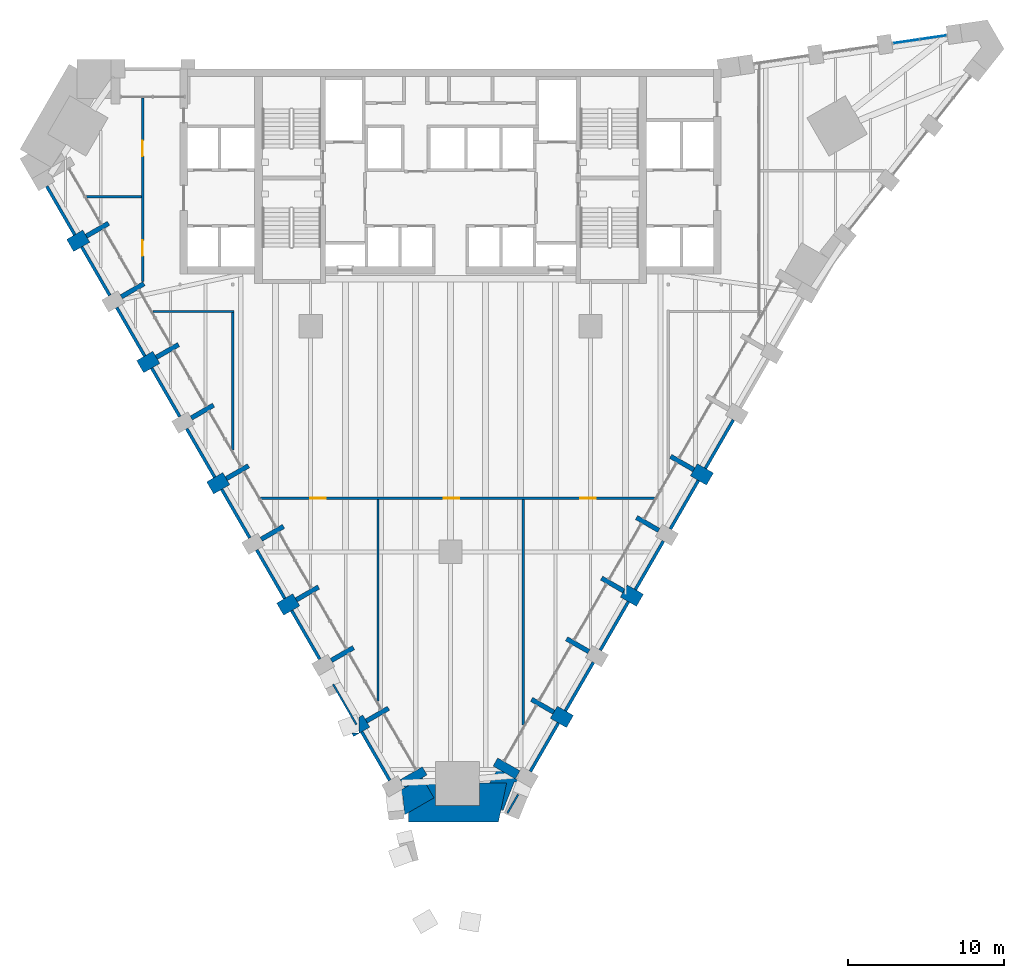
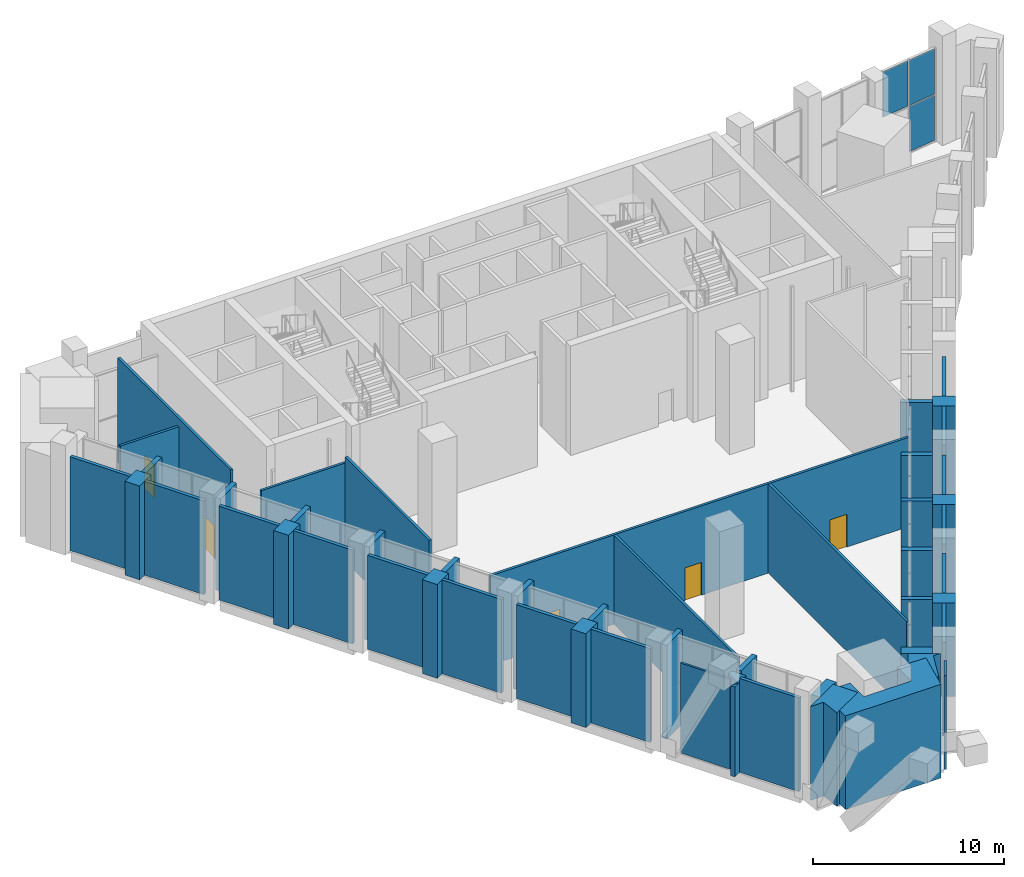
# One storey, part 11 of 17: 51 walls, 5 doors, 3 plates, 5 openings, 1 element without a shape of its own.
"""IFC4 building model written with IfcOpenShell, lengths in metres."""

from ifc_helpers import new_model, si_unit, direction, frame, frame_2d, origin, origin_2d, place, context, subcontext, project, spatial, polyline, rectangle, outline, extrude, material, layer, layer_set, type_object, element, fill, aggregate, save


model = new_model("IFC4")

# Units and contexts
model_context = context("Model", 3, precision=1e-05, world=origin(), true_north=direction((0.0, 1.0)))
body_context = subcontext(model_context, "Body", "Model", "MODEL_VIEW")
ifc_project = project(units=[si_unit("LENGTHUNIT", "METRE"), si_unit("AREAUNIT", "SQUARE_METRE"), si_unit("VOLUMEUNIT", "CUBIC_METRE"), si_unit("PLANEANGLEUNIT", "RADIAN"), si_unit("MASSUNIT", "GRAM", prefix="KILO")], contexts=[model_context])

# Site, building, storey
site_placement = place(None, origin())
site = spatial("IfcSite", under=ifc_project, at=site_placement, CompositionType="ELEMENT")
building_placement = place(site_placement, origin())
building = spatial("IfcBuilding", under=site, at=building_placement, Name="Calabash Gate Tower", CompositionType="ELEMENT")
storey_placement = place(building_placement, frame((0.0, 0.0, 132.60009765625)))
storey = spatial("IfcBuildingStorey", under=building, at=storey_placement, Name="L31", CompositionType="ELEMENT", Elevation=132.60009765625)

# Curtain wall, plates
ifc_material_1 = material(Name="Anodised aluminium frame, bronze finish, clear laminated impact-rated glazing", Category="aluminium")
curtain_wall_type = type_object("IfcCurtainWallType", Name="Curtain wall CWW wedge prow wall", PredefinedType="NOTDEFINED", material=ifc_material_1)
curtain_wall_placement = place(storey_placement, origin())
curtain_wall = element("IfcCurtainWall", 1, at=curtain_wall_placement, inside=storey, type_object=curtain_wall_type, Name="Curtain wall CWW L31 wedge5.1", PredefinedType="NOTDEFINED")
ifc_material_2 = material(Name="Clear laminated impact-rated glazing", Category="glass")
ifc_layer_1 = layer(ifc_material_2, 0.0400390625)
ifc_layer_set_1 = layer_set([ifc_layer_1], Name="Glass panel CWW 40")
plate_type = type_object("IfcPlateType", Name="Glass panel CWW 40", PredefinedType="CURTAIN_PANEL", material=ifc_layer_set_1)
plate_1_placement = place(storey_placement, frame((31.02685546875, 21.07763671875, 0.06982421875), z_axis=(0.0, 0.0, 1.0), x_axis=(-0.989429496293, -0.145014729823, 0.0)))
plate_1 = element("IfcPlate", 2, at=plate_1_placement, type_object=plate_type, Name="CWW panel 1.1", PredefinedType="CURTAIN_PANEL", context=body_context, shape_type="SweptSolid", body=[
    extrude(rectangle(XDim=1.695068359375, YDim=0.0400390625, at=origin_2d()), origin(), (0.0, 0.0, 1.0), 2.89501953125),
])
plate_2_placement = place(storey_placement, frame((31.02685546875, 21.07763671875, 3.034912109375), z_axis=(0.0, 0.0, 1.0), x_axis=(-0.989429496293, -0.145014729823, 0.0)))
plate_2 = element("IfcPlate", 3, at=plate_2_placement, type_object=plate_type, Name="CWW panel 1.2", PredefinedType="CURTAIN_PANEL", context=body_context, shape_type="SweptSolid", body=[
    extrude(rectangle(XDim=1.695068359375, YDim=0.0400390625, at=origin_2d()), origin(), (0.0, 0.0, 1.0), 2.89501953125),
])
plate_3_placement = place(storey_placement, frame((29.280517578125, 20.821533203125, 3.034912109375), z_axis=(0.0, 0.0, 1.0), x_axis=(-0.989429496293, -0.145014729823, 0.0)))
plate_3 = element("IfcPlate", 4, at=plate_3_placement, type_object=plate_type, Name="CWW panel 2.2", PredefinedType="CURTAIN_PANEL", context=body_context, shape_type="SweptSolid", body=[
    extrude(rectangle(XDim=1.695068359375, YDim=0.0400390625, at=origin_2d()), origin(), (0.0, 0.0, 1.0), 2.89501953125),
])
aggregate(curtain_wall, [plate_1, plate_2, plate_3])

# Walls
ifc_material_3 = material(Name="Terracotta brick masonry, exposed face", Category="masonry")
ifc_layer_2 = layer(ifc_material_3, 2.5)
ifc_layer_set_2 = layer_set([ifc_layer_2], Name="Brick corner mass wall 2500")
wall_type_1 = type_object("IfcWallType", Name="Brick corner mass wall 2500", PredefinedType="SOLIDWALL", material=ifc_layer_set_2)
wall_1_placement = place(storey_placement, origin())
element("IfcWall", 5, at=wall_1_placement, inside=storey, type_object=wall_type_1, Name="Brick corner pier L31 1a", PredefinedType="SOLIDWALL", context=body_context, shape_type="SweptSolid", body=[
    extrude(outline(polyline([(-1.068603515625, -27.814208984375), (-1.817626953125, -26.516357421875), (-2.943603515625, -27.16650390625), (-2.943359375, -27.166748046875), (-3.872314453125, -27.702880859375), (-3.072998046875, -27.702880859375), (-2.95068359375, -28.90087890625), (-1.068603515625, -27.814208984375)])), origin(), (0.0, 0.0, 1.0), 6.0),
])
wall_2_placement = place(storey_placement, origin())
element("IfcWall", 6, at=wall_2_placement, inside=storey, type_object=wall_type_1, Name="Brick corner pier L31 1b", PredefinedType="SOLIDWALL", context=body_context, shape_type="SweptSolid", body=[
    extrude(outline(polyline([(-0.97802734375, -26.864013671875), (-1.616943359375, -26.864013671875), (-1.068603515625, -27.814208984375), (-2.7138671875, -28.76416015625), (-2.7138671875, -29.364013671875), (3.0771484375, -29.364013671875), (3.60302734375, -26.864013671875), (1.8720703125, -26.864013671875), (1.8720703125, -28.318115234375), (-0.97802734375, -28.318115234375), (-0.97802734375, -26.864013671875)])), origin(), (0.0, 0.0, 1.0), 6.0),
])
wall_3_placement = place(storey_placement, origin())
element("IfcWall", 7, at=wall_3_placement, inside=storey, type_object=wall_type_1, Name="Brick corner pier L31 1c", PredefinedType="SOLIDWALL", context=body_context, shape_type="SweptSolid", body=[
    extrude(outline(polyline([(4.513427734375, -26.799072265625), (3.0361328125, -25.946044921875), (2.506103515625, -26.864013671875), (3.60302734375, -26.864013671875), (3.246826171875, -28.558349609375), (3.368408203125, -28.628662109375), (4.093017578125, -26.799072265625), (4.513427734375, -26.799072265625)])), origin(), (0.0, 0.0, 1.0), 5.919921875),
])
ifc_material_4 = material(Name="Terracotta brick masonry, exposed face", Category="masonry")
ifc_layer_3 = layer(ifc_material_4, 1.199951171875)
ifc_layer_set_3 = layer_set([ifc_layer_3], Name="Brick end wall 1200")
wall_type_2 = type_object("IfcWallType", Name="Brick end wall 1200", PredefinedType="SOLIDWALL", material=ifc_layer_set_3)
for number, where, z_axis, x_axis, name in (
    (8, (-24.457763671875, 7.697265625, 0.0), (0.0, 0.0, 1.0), (0.865955154139, 0.50012165622, 0.0), "Brick pier L31 SW0.1"),
    (9, (-19.957763671875, -0.096923828125, 0.0), (0.0, 0.0, 1.0), (0.865955154139, 0.50012165622, 0.0), "Brick pier L31 SW0.3"),
):
    element("IfcWall", number, at=place(storey_placement, frame(where, z_axis=z_axis, x_axis=x_axis)), inside=storey, type_object=wall_type_2, Name=name, PredefinedType="SOLIDWALL", context=body_context, shape_type="SweptSolid", body=[
        extrude(rectangle(XDim=1.199951171875, YDim=0.89990234375, at=frame_2d((0.60009765625, 0.0))), origin(), (0.0, 0.0, 1.0), 6.0),
    ])
for number, where, z_axis, x_axis, name in (
    (10, (-15.457763671875, -7.89111328125, 0.0), (0.0, 0.0, 1.0), (0.866043267704, 0.499969057507, 0.0), "Brick pier L31 SW0.5"),
    (11, (-10.957763671875, -15.685302734375, 0.0), (0.0, 0.0, 1.0), (0.866043267704, 0.499969057507, 0.0), "Brick pier L31 SW0.7"),
):
    element("IfcWall", number, at=place(storey_placement, frame(where, z_axis=z_axis, x_axis=x_axis)), inside=storey, type_object=wall_type_2, Name=name, PredefinedType="SOLIDWALL", context=body_context, shape_type="SweptSolid", body=[
        extrude(rectangle(XDim=1.19970703125, YDim=0.89990234375, at=frame_2d((0.599853515625, 0.0))), origin(), (0.0, 0.0, 1.0), 6.0),
    ])
wall_4_placement = place(storey_placement, origin())
element("IfcWall", 12, at=wall_4_placement, inside=storey, type_object=wall_type_2, Name="Brick pier L31 SW0.9", PredefinedType="SOLIDWALL", context=body_context, shape_type="SweptSolid", body=[
    extrude(outline(polyline([(-6.366943359375, -23.636962890625), (-6.23291015625, -23.869384765625), (-5.193603515625, -23.269287109375), (-5.6435546875, -22.489990234375), (-5.896484375, -22.635986328125), (-5.89599609375, -22.636962890625), (-5.89599609375, -23.636962890625), (-6.366943359375, -23.636962890625)])), origin(), (0.0, 0.0, 1.0), 5.751953125),
])
for number, where, z_axis, x_axis, name in (
    (13, (7.67626953125, -22.9091796875, 0.0), (0.0, 0.0, 1.0), (-0.866094119867, 0.499880961361, 0.0), "Brick pier L31 SE2.1"),
    (14, (12.17626953125, -15.114990234375, 0.0), (0.0, 0.0, 1.0), (-0.866094119867, 0.499880961361, 0.0), "Brick pier L31 SE2.3"),
    (15, (15.636962890625, -6.720947265625, 0.0), (0.0, 0.0, 1.0), (0.866094119867, -0.499880961361, 0.0), "Brick pier L31 SE2.5"),
):
    element("IfcWall", number, at=place(storey_placement, frame(where, z_axis=z_axis, x_axis=x_axis)), inside=storey, type_object=wall_type_2, Name=name, PredefinedType="SOLIDWALL", context=body_context, shape_type="SweptSolid", body=[
        extrude(rectangle(XDim=1.199951171875, YDim=0.89990234375, at=frame_2d((0.60009765625, 0.0))), origin(), (0.0, 0.0, 1.0), 6.0),
    ])
ifc_material_5 = material(Name="Terracotta brick masonry, exposed face", Category="masonry")
ifc_layer_4 = layer(ifc_material_5, 0.300048828125)
ifc_layer_set_4 = layer_set([ifc_layer_4], Name="Brick loggia cheek wall 300")
wall_type_3 = type_object("IfcWallType", Name="Brick loggia cheek wall 300", PredefinedType="SOLIDWALL", material=ifc_layer_set_4)
wall_5_placement = place(storey_placement, frame((-23.418701171875, 8.29736328125, 0.0), z_axis=(0.0, 0.0, 1.0), x_axis=(0.866040211805, 0.499974350878, 0.0)))
element("IfcWall", 16, at=wall_5_placement, inside=storey, type_object=wall_type_3, Name="Loggia cheek L31 SW0.1", PredefinedType="SOLIDWALL", context=body_context, shape_type="SweptSolid", body=[
    extrude(rectangle(XDim=1.64990234375, YDim=0.300048828125, at=frame_2d((0.824951171875, 0.0))), origin(), (0.0, 0.0, 1.0), 6.0),
])
wall_6_placement = place(storey_placement, frame((-21.16845703125, 4.400146484375, 0.0), z_axis=(0.0, 0.0, 1.0), x_axis=(0.866038204628, 0.499977827634, 0.0)))
element("IfcWall", 17, at=wall_6_placement, inside=storey, type_object=wall_type_3, Name="Loggia cheek L31 SW0.2", PredefinedType="SOLIDWALL", context=body_context, shape_type="SweptSolid", body=[
    extrude(rectangle(XDim=1.6826171875, YDim=0.300048828125, at=frame_2d((0.84130859375, 0.0))), origin(), (0.0, 0.0, 1.0), 5.919921875),
])
wall_7_placement = place(storey_placement, frame((-18.918701171875, 0.503173828125, 0.0), z_axis=(0.0, 0.0, 1.0), x_axis=(0.866040211805, 0.499974350878, 0.0)))
element("IfcWall", 18, at=wall_7_placement, inside=storey, type_object=wall_type_3, Name="Loggia cheek L31 SW0.3", PredefinedType="SOLIDWALL", context=body_context, shape_type="SweptSolid", body=[
    extrude(rectangle(XDim=1.64990234375, YDim=0.300048828125, at=frame_2d((0.824951171875, 0.0))), origin(), (0.0, 0.0, 1.0), 6.0),
])
wall_8_placement = place(storey_placement, frame((-16.66845703125, -3.39404296875, 0.0), z_axis=(0.0, 0.0, 1.0), x_axis=(0.866003217194, 0.500038426333, 0.0)))
element("IfcWall", 19, at=wall_8_placement, inside=storey, type_object=wall_type_3, Name="Loggia cheek L31 SW0.4", PredefinedType="SOLIDWALL", context=body_context, shape_type="SweptSolid", body=[
    extrude(rectangle(XDim=1.649658203125, YDim=0.300048828125, at=frame_2d((0.82470703125, 0.0))), origin(), (0.0, 0.0, 1.0), 6.0),
])
wall_9_placement = place(storey_placement, frame((-14.418701171875, -7.291259765625, 0.0), z_axis=(0.0, 0.0, 1.0), x_axis=(0.865976140824, 0.500085316245, 0.0)))
element("IfcWall", 20, at=wall_9_placement, inside=storey, type_object=wall_type_3, Name="Loggia cheek L31 SW0.5", PredefinedType="SOLIDWALL", context=body_context, shape_type="SweptSolid", body=[
    extrude(rectangle(XDim=1.650146484375, YDim=0.300048828125, at=frame_2d((0.8251953125, 0.0))), origin(), (0.0, 0.0, 1.0), 5.85400390625),
])
wall_10_placement = place(storey_placement, frame((-12.168212890625, -11.188232421875, 0.0), z_axis=(0.0, 0.0, 1.0), x_axis=(0.865966208357, 0.500102515474, 0.0)))
element("IfcWall", 21, at=wall_10_placement, inside=storey, type_object=wall_type_3, Name="Loggia cheek L31 SW0.6", PredefinedType="SOLIDWALL", context=body_context, shape_type="SweptSolid", body=[
    extrude(rectangle(XDim=1.649658203125, YDim=0.300048828125, at=frame_2d((0.82470703125, 0.0))), origin(), (0.0, 0.0, 1.0), 6.0),
])
wall_11_placement = place(storey_placement, frame((-9.918701171875, -15.08544921875, 0.0), z_axis=(0.0, 0.0, 1.0), x_axis=(0.866040211805, 0.499974350878, 0.0)))
element("IfcWall", 22, at=wall_11_placement, inside=storey, type_object=wall_type_3, Name="Loggia cheek L31 SW0.7", PredefinedType="SOLIDWALL", context=body_context, shape_type="SweptSolid", body=[
    extrude(rectangle(XDim=1.64990234375, YDim=0.300048828125, at=frame_2d((0.824951171875, 0.0))), origin(), (0.0, 0.0, 1.0), 6.0),
])
wall_12_placement = place(storey_placement, frame((-6.23974609375, -18.157470703125, 0.0), z_axis=(0.0, 0.0, 1.0), x_axis=(-0.866030301974, -0.499991515992, 0.0)))
element("IfcWall", 23, at=wall_12_placement, inside=storey, type_object=wall_type_3, Name="Loggia cheek L31 SW0.8", PredefinedType="SOLIDWALL", context=body_context, shape_type="SweptSolid", body=[
    extrude(rectangle(XDim=1.6494140625, YDim=0.300048828125, at=frame_2d((0.82470703125, 0.0))), origin(), (0.0, 0.0, 1.0), 6.0),
])
wall_13_placement = place(storey_placement, frame((-3.98974609375, -22.0546875, 0.0), z_axis=(0.0, 0.0, 1.0), x_axis=(-0.866040211805, -0.499974350878, 0.0)))
element("IfcWall", 24, at=wall_13_placement, inside=storey, type_object=wall_type_3, Name="Loggia cheek L31 SW0.9", PredefinedType="SOLIDWALL", context=body_context, shape_type="SweptSolid", body=[
    extrude(rectangle(XDim=1.64990234375, YDim=0.300048828125, at=frame_2d((0.824951171875, 0.0))), origin(), (0.0, 0.0, 1.0), 5.943359375),
])
wall_14_placement = place(storey_placement, frame((-3.093505859375, -26.906494140625, 0.0), z_axis=(0.0, 0.0, 1.0), x_axis=(0.866040211805, 0.499974350878, 0.0)))
element("IfcWall", 25, at=wall_14_placement, inside=storey, type_object=wall_type_3, Name="Loggia cheek L31 SW0.10", PredefinedType="SOLIDWALL", context=body_context, shape_type="SweptSolid", body=[
    extrude(rectangle(XDim=1.64990234375, YDim=0.60009765625, at=frame_2d((0.824951171875, 0.0))), origin(), (0.0, 0.0, 1.0), 5.919921875),
])
wall_15_placement = place(storey_placement, frame((4.31201171875, -26.33642578125, 0.0), z_axis=(0.0, 0.0, 1.0), x_axis=(-0.865976140824, 0.500085316245, 0.0)))
element("IfcWall", 26, at=wall_15_placement, inside=storey, type_object=wall_type_3, Name="Loggia cheek L31 SE2.0", PredefinedType="SOLIDWALL", context=body_context, shape_type="SweptSolid", body=[
    extrude(rectangle(XDim=1.650146484375, YDim=0.60009765625, at=frame_2d((0.8251953125, 0.0))), origin(), (0.0, 0.0, 1.0), 5.919921875),
])
for number, where, z_axis, x_axis, name in (
    (27, (6.636962890625, -22.309326171875, 0.0), (0.0, 0.0, 1.0), (-0.866040211805, 0.499974350878, 0.0), "Loggia cheek L31 SE2.1"),
    (28, (8.886962890625, -18.412109375, 0.0), (0.0, 0.0, 1.0), (-0.866040211805, 0.499974350878, 0.0), "Loggia cheek L31 SE2.2"),
    (29, (9.7080078125, -13.690185546875, 0.0), (0.0, 0.0, 1.0), (0.866040211805, -0.499974350878, 0.0), "Loggia cheek L31 SE2.3"),
):
    element("IfcWall", number, at=place(storey_placement, frame(where, z_axis=z_axis, x_axis=x_axis)), inside=storey, type_object=wall_type_3, Name=name, PredefinedType="SOLIDWALL", context=body_context, shape_type="SweptSolid", body=[
        extrude(rectangle(XDim=1.64990234375, YDim=0.300048828125, at=frame_2d((0.824951171875, 0.0))), origin(), (0.0, 0.0, 1.0), 6.0),
    ])
wall_16_placement = place(storey_placement, frame((11.9580078125, -9.79296875, 0.0), z_axis=(0.0, 0.0, 1.0), x_axis=(0.866040211805, -0.499974350878, 0.0)))
element("IfcWall", 30, at=wall_16_placement, inside=storey, type_object=wall_type_3, Name="Loggia cheek L31 SE2.4", PredefinedType="SOLIDWALL", context=body_context, shape_type="SweptSolid", body=[
    extrude(rectangle(XDim=1.64990234375, YDim=0.300048828125, at=frame_2d((0.824951171875, 0.0))), origin(), (0.0, 0.0, 1.0), 5.77783203125),
])
wall_17_placement = place(storey_placement, frame((15.636962890625, -6.720947265625, 0.0), z_axis=(0.0, 0.0, 1.0), x_axis=(-0.866024871741, 0.500000921525, 0.0)))
element("IfcWall", 31, at=wall_17_placement, inside=storey, type_object=wall_type_3, Name="Loggia cheek L31 SE2.5", PredefinedType="SOLIDWALL", context=body_context, shape_type="SweptSolid", body=[
    extrude(rectangle(XDim=1.72021484375, YDim=0.300048828125, at=frame_2d((0.860107421875, 0.0))), origin(), (0.0, 0.0, 1.0), 6.0),
])
ifc_material_6 = material(Name="Gypsum board on steel studs, mineral wool", Category="steel")
ifc_layer_5 = layer(ifc_material_6, 0.14990234375)
ifc_layer_set_5 = layer_set([ifc_layer_5], Name="Partition 150 gypsum board")
wall_type_4 = type_object("IfcWallType", Name="Partition 150 gypsum board", PredefinedType="PARTITIONING", material=ifc_layer_set_5)
wall_18_placement = place(storey_placement, frame((4.666748046875, -23.141845703125, 0.0), z_axis=(0.0, 0.0, 1.0), x_axis=(0.0, 1.0, 0.0)))
element("IfcWall", 32, at=wall_18_placement, inside=storey, type_object=wall_type_4, Name="Partition", PredefinedType="PARTITIONING", context=body_context, shape_type="SweptSolid", body=[
    extrude(rectangle(XDim=14.51953125, YDim=0.14990234375, at=frame_2d((7.259765625, 0.0))), origin(), (0.0, 0.0, 1.0), 5.711669921875),
])
wall_19_placement = place(storey_placement, frame((-4.666748046875, -21.601806640625, 0.0), z_axis=(0.0, 0.0, 1.0), x_axis=(0.0, 1.0, 0.0)))
element("IfcWall", 33, at=wall_19_placement, inside=storey, type_object=wall_type_4, Name="Partition", PredefinedType="PARTITIONING", context=body_context, shape_type="SweptSolid", body=[
    extrude(rectangle(XDim=12.9794921875, YDim=0.14990234375, at=frame_2d((6.48974609375, 0.0))), origin(), (0.0, 0.0, 1.0), 5.711669921875),
])

# Wall, openings, doors
wall_20_placement = place(storey_placement, frame((-12.212158203125, -8.54736328125, 0.0), z_axis=(0.0, 0.0, 1.0), x_axis=(1.0, 0.0, 0.0)))
wall_20 = element("IfcWall", 34, at=wall_20_placement, inside=storey, type_object=wall_type_4, Name="Partition", PredefinedType="PARTITIONING", context=body_context, shape_type="SweptSolid", body=[
    extrude(rectangle(XDim=25.3134765625, YDim=0.14990234375, at=frame_2d((12.65673828125, 0.0))), origin(), (0.0, 0.0, 1.0), 5.711669921875),
])
opening_1_placement = place(wall_20_placement, frame((20.558837890625, 0.0, 0.0)))
opening_1 = element("IfcOpeningElement", 35, at=opening_1_placement, cuts=wall_20, Name="Opening L31-022", PredefinedType="OPENING", context=body_context, shape_type="SweptSolid", body=[
    extrude(rectangle(XDim=1.0, YDim=2.10009765625, at=frame_2d((0.5, 1.050048828125))), frame((0.0, 0.0849609375, 0.0), z_axis=(0.0, -1.0, 0.0), x_axis=(1.0, 0.0, 0.0)), (0.0, 0.0, 1.0), 0.169921875),
])
opening_2_placement = place(wall_20_placement, frame((11.77880859375, 0.0, 0.0)))
opening_2 = element("IfcOpeningElement", 36, at=opening_2_placement, cuts=wall_20, Name="Opening L31-023", PredefinedType="OPENING", context=body_context, shape_type="SweptSolid", body=[
    extrude(rectangle(XDim=1.0, YDim=2.10009765625, at=frame_2d((0.5, 1.050048828125))), frame((0.0, 0.0849609375, 0.0), z_axis=(0.0, -1.0, 0.0), x_axis=(1.0, 0.0, 0.0)), (0.0, 0.0, 1.0), 0.169921875),
])
opening_3_placement = place(wall_20_placement, frame((3.195556640625, 0.0, 0.0)))
opening_3 = element("IfcOpeningElement", 37, at=opening_3_placement, cuts=wall_20, Name="Opening L31-024", PredefinedType="OPENING", context=body_context, shape_type="SweptSolid", body=[
    extrude(rectangle(XDim=1.0, YDim=2.10009765625, at=frame_2d((0.5, 1.050048828125))), frame((0.0, 0.0849609375, 0.0), z_axis=(0.0, -1.0, 0.0), x_axis=(1.0, 0.0, 0.0)), (0.0, 0.0, 1.0), 0.169921875),
])
ifc_material_7 = material(Name="Steel fire door set with fire-resisting glazing", Category="steel")
door_type = type_object("IfcDoorType", Name="Fire door D11 1000x2100 FD60", OperationType="NOTDEFINED", PredefinedType="DOOR", material=ifc_material_7)
door_1_placement = place(opening_1_placement, origin())
door_1 = element("IfcDoor", 38, at=door_1_placement, inside=storey, type_object=door_type, Name="Sky Lounge door", OperationType="SINGLE_SWING_LEFT", OverallHeight=2.10009765625, OverallWidth=1.0, PredefinedType="DOOR", context=body_context, shape_type="SweptSolid", body=[
    extrude(rectangle(XDim=1.0, YDim=2.10009765625, at=frame_2d((0.5, 1.050048828125))), frame((0.0, 0.02490234375, 0.0), z_axis=(0.0, -1.0, 0.0), x_axis=(1.0, 0.0, 0.0)), (0.0, 0.0, 1.0), 0.050048828125),
])
fill(opening_1, door_1)
door_2_placement = place(opening_2_placement, origin())
door_2 = element("IfcDoor", 39, at=door_2_placement, inside=storey, type_object=door_type, Name="Restaurant door", OperationType="SINGLE_SWING_RIGHT", OverallHeight=2.10009765625, OverallWidth=1.0, PredefinedType="DOOR", context=body_context, shape_type="SweptSolid", body=[
    extrude(rectangle(XDim=1.0, YDim=2.10009765625, at=frame_2d((0.5, 1.050048828125))), frame((0.0, 0.02490234375, 0.0), z_axis=(0.0, -1.0, 0.0), x_axis=(1.0, 0.0, 0.0)), (0.0, 0.0, 1.0), 0.050048828125),
])
fill(opening_2, door_2)
door_3_placement = place(opening_3_placement, origin())
door_3 = element("IfcDoor", 40, at=door_3_placement, inside=storey, type_object=door_type, Name="Bar door", OperationType="SINGLE_SWING_RIGHT", OverallHeight=2.10009765625, OverallWidth=1.0, PredefinedType="DOOR", context=body_context, shape_type="SweptSolid", body=[
    extrude(rectangle(XDim=1.0, YDim=2.10009765625, at=frame_2d((0.5, 1.050048828125))), frame((0.0, 0.02490234375, 0.0), z_axis=(0.0, -1.0, 0.0), x_axis=(1.0, 0.0, 0.0)), (0.0, 0.0, 1.0), 0.050048828125),
])
fill(opening_3, door_3)

# Walls
wall_21_placement = place(storey_placement, frame((-14.0, -5.43603515625, 0.0), z_axis=(0.0, 0.0, 1.0), x_axis=(0.0, 1.0, 0.0)))
element("IfcWall", 41, at=wall_21_placement, inside=storey, type_object=wall_type_4, Name="Partition", PredefinedType="PARTITIONING", context=body_context, shape_type="SweptSolid", body=[
    extrude(rectangle(XDim=8.813720703125, YDim=0.14990234375, at=frame_2d((4.40673828125, 0.0))), origin(), (0.0, 0.0, 1.0), 6.699951171875),
])
wall_22_placement = place(storey_placement, frame((-19.140380859375, 3.45263671875, 0.0), z_axis=(0.0, 0.0, 1.0), x_axis=(1.0, 0.0, 0.0)))
element("IfcWall", 42, at=wall_22_placement, inside=storey, type_object=wall_type_4, Name="Partition", PredefinedType="PARTITIONING", context=body_context, shape_type="SweptSolid", body=[
    extrude(rectangle(XDim=5.21533203125, YDim=0.14990234375, at=frame_2d((2.607666015625, 0.0))), origin(), (0.0, 0.0, 1.0), 6.301513671875),
])

# Wall, openings, doors
wall_23_placement = place(storey_placement, frame((-19.800048828125, 5.36865234375, 0.0), z_axis=(0.0, 0.0, 1.0), x_axis=(0.0, 1.0, 0.0)))
wall_23 = element("IfcWall", 43, at=wall_23_placement, inside=storey, type_object=wall_type_4, Name="Partition", PredefinedType="PARTITIONING", context=body_context, shape_type="SweptSolid", body=[
    extrude(rectangle(XDim=11.803955078125, YDim=0.14990234375, at=frame_2d((5.90185546875, 0.0))), origin(), (0.0, 0.0, 1.0), 6.699951171875),
])
opening_4_placement = place(wall_23_placement, frame((8.072509765625, 0.0, 0.0)))
opening_4 = element("IfcOpeningElement", 44, at=opening_4_placement, cuts=wall_23, Name="Opening L31-018", PredefinedType="OPENING", context=body_context, shape_type="SweptSolid", body=[
    extrude(rectangle(XDim=1.0, YDim=2.10009765625, at=frame_2d((0.5, 1.050048828125))), frame((0.0, 0.0849609375, 0.0), z_axis=(0.0, -1.0, 0.0), x_axis=(1.0, 0.0, 0.0)), (0.0, 0.0, 1.0), 0.169921875),
])
opening_5_placement = place(wall_23_placement, frame((1.660888671875, 0.0, 0.0)))
opening_5 = element("IfcOpeningElement", 45, at=opening_5_placement, cuts=wall_23, Name="Opening L31-019", PredefinedType="OPENING", context=body_context, shape_type="SweptSolid", body=[
    extrude(rectangle(XDim=1.0, YDim=2.10009765625, at=frame_2d((0.5, 1.050048828125))), frame((0.0, 0.0849609375, 0.0), z_axis=(0.0, -1.0, 0.0), x_axis=(1.0, 0.0, 0.0)), (0.0, 0.0, 1.0), 0.169921875),
])
door_4_placement = place(opening_4_placement, origin())
door_4 = element("IfcDoor", 46, at=door_4_placement, inside=storey, type_object=door_type, Name="Meeting Room door", OperationType="SINGLE_SWING_LEFT", OverallHeight=2.10009765625, OverallWidth=1.0, PredefinedType="DOOR", context=body_context, shape_type="SweptSolid", body=[
    extrude(rectangle(XDim=1.0, YDim=2.10009765625, at=frame_2d((0.5, 1.050048828125))), frame((0.0, 0.02490234375, 0.0), z_axis=(0.0, -1.0, 0.0), x_axis=(1.0, 0.0, 0.0)), (0.0, 0.0, 1.0), 0.050048828125),
])
fill(opening_4, door_4)
door_5_placement = place(opening_5_placement, origin())
door_5 = element("IfcDoor", 47, at=door_5_placement, inside=storey, type_object=door_type, Name="Business Centre door", OperationType="SINGLE_SWING_RIGHT", OverallHeight=2.10009765625, OverallWidth=1.0, PredefinedType="DOOR", context=body_context, shape_type="SweptSolid", body=[
    extrude(rectangle(XDim=1.0, YDim=2.10009765625, at=frame_2d((0.5, 1.050048828125))), frame((0.0, 0.02490234375, 0.0), z_axis=(0.0, -1.0, 0.0), x_axis=(1.0, 0.0, 0.0)), (0.0, 0.0, 1.0), 0.050048828125),
])
fill(opening_5, door_5)

# Walls
wall_24_placement = place(storey_placement, frame((-23.40625, 10.84130859375, 0.0), z_axis=(0.0, 0.0, 1.0), x_axis=(1.0, 0.0, 0.0)))
element("IfcWall", 48, at=wall_24_placement, inside=storey, type_object=wall_type_4, Name="Partition", PredefinedType="PARTITIONING", context=body_context, shape_type="SweptSolid", body=[
    extrude(rectangle(XDim=3.53125, YDim=0.14990234375, at=frame_2d((1.765625, 0.0))), origin(), (0.0, 0.0, 1.0), 6.171630859375),
])
ifc_material_8 = material(Name="Terracotta brick masonry, perforated", Category="masonry")
ifc_layer_6 = layer(ifc_material_8, 0.1201171875)
ifc_layer_set_6 = layer_set([ifc_layer_6], Name="Terracotta jaali cladding A 120")
wall_type_5 = type_object("IfcWallType", Name="Terracotta jaali cladding A 120", PredefinedType="SOLIDWALL", material=ifc_layer_set_6)
wall_25_placement = place(storey_placement, frame((-6.054443359375, -23.098388671875, 0.0), z_axis=(0.0, 0.0, 1.0), x_axis=(-0.499976914471, 0.866038731811, 0.0)))
element("IfcWall", 49, at=wall_25_placement, inside=storey, type_object=wall_type_5, Name="Jaali cladding L31 SW0.c1", PredefinedType="SOLIDWALL", context=body_context, shape_type="SweptSolid", body=[
    extrude(rectangle(XDim=2.989990234375, YDim=0.1201171875, at=frame_2d((1.4951171875, 0.0))), origin(), (0.0, 0.0, 1.0), 5.751953125),
])
wall_26_placement = place(storey_placement, frame((3.655029296875, -28.794189453125, 0.0), z_axis=(0.0, 0.0, 1.0), x_axis=(0.500010383074, 0.866019409031, 0.0)))
element("IfcWall", 50, at=wall_26_placement, inside=storey, type_object=wall_type_5, Name="Jaali cladding L31 SE2.c2", PredefinedType="SOLIDWALL", context=body_context, shape_type="SweptSolid", body=[
    extrude(rectangle(XDim=1.3701171875, YDim=0.1201171875, at=frame_2d((0.68505859375, 0.0))), origin(), (0.0, 0.0, 1.0), 6.0),
])
ifc_material_9 = material(Name="Terracotta brick masonry, perforated", Category="masonry")
ifc_layer_7 = layer(ifc_material_9, 0.199951171875)
ifc_layer_set_7 = layer_set([ifc_layer_7], Name="Terracotta jaali screen A")
wall_type_6 = type_object("IfcWallType", Name="Terracotta jaali screen A", PredefinedType="SOLIDWALL", material=ifc_layer_set_7)
for number, where, z_axis, x_axis, name in (
    (51, (-25.963134765625, 11.504638671875, 0.0), (0.0, 0.0, 1.0), (0.500012057535, -0.866018442252, 0.0), "SCREEN A L31 SW0.1"),
    (52, (-23.713134765625, 7.607666015625, 0.0), (0.0, 0.0, 1.0), (0.500012057535, -0.866018442252, 0.0), "SCREEN A L31 SW0.2"),
    (53, (-21.463134765625, 3.71044921875, 0.0), (0.0, 0.0, 1.0), (0.500012057535, -0.866018442252, 0.0), "SCREEN A L31 SW0.3"),
):
    element("IfcWall", number, at=place(storey_placement, frame(where, z_axis=z_axis, x_axis=x_axis)), inside=storey, type_object=wall_type_6, Name=name, PredefinedType="SOLIDWALL", context=body_context, shape_type="SweptSolid", body=[
        extrude(rectangle(XDim=3.60009765625, YDim=0.199951171875, at=frame_2d((1.800048828125, 0.0))), origin(), (0.0, 0.0, 1.0), 6.0),
    ])
wall_27_placement = place(storey_placement, frame((-19.213134765625, -0.1865234375, 0.0), z_axis=(0.0, 0.0, 1.0), x_axis=(0.499982693035, -0.866035395735, 0.0)))
element("IfcWall", 54, at=wall_27_placement, inside=storey, type_object=wall_type_6, Name="SCREEN A L31 SW0.4", PredefinedType="SOLIDWALL", context=body_context, shape_type="SweptSolid", body=[
    extrude(rectangle(XDim=3.600341796875, YDim=0.199951171875, at=frame_2d((1.80029296875, 0.0))), origin(), (0.0, 0.0, 1.0), 6.0),
])
for number, where, z_axis, x_axis, name in (
    (55, (-16.963134765625, -4.083740234375, 0.0), (0.0, 0.0, 1.0), (0.500012057535, -0.866018442252, 0.0), "SCREEN A L31 SW0.5"),
    (56, (-14.713134765625, -7.98095703125, 0.0), (0.0, 0.0, 1.0), (0.500012057535, -0.866018442252, 0.0), "SCREEN A L31 SW0.6"),
    (57, (-12.463134765625, -11.8779296875, 0.0), (0.0, 0.0, 1.0), (0.500012057535, -0.866018442252, 0.0), "SCREEN A L31 SW0.7"),
    (58, (-10.213134765625, -15.775146484375, 0.0), (0.0, 0.0, 1.0), (0.500012057535, -0.866018442252, 0.0), "SCREEN A L31 SW0.8"),
    (59, (-5.713134765625, -23.5693359375, 0.0), (0.0, 0.0, 1.0), (0.500012057535, -0.866018442252, 0.0), "SCREEN A L31 SW0.10"),
):
    element("IfcWall", number, at=place(storey_placement, frame(where, z_axis=z_axis, x_axis=x_axis)), inside=storey, type_object=wall_type_6, Name=name, PredefinedType="SOLIDWALL", context=body_context, shape_type="SweptSolid", body=[
        extrude(rectangle(XDim=3.60009765625, YDim=0.199951171875, at=frame_2d((1.800048828125, 0.0))), origin(), (0.0, 0.0, 1.0), 6.0),
    ])
wall_28_placement = place(storey_placement, origin())
element("IfcWall", 60, at=wall_28_placement, inside=storey, type_object=wall_type_6, Name="SCREEN A L31 SE2.1", PredefinedType="SOLIDWALL", context=body_context, shape_type="SweptSolid", body=[
    extrude(outline(polyline([(6.844970703125, -22.948974609375), (5.045166015625, -26.066162109375), (5.218505859375, -26.166259765625), (7.01806640625, -23.049072265625), (6.844970703125, -22.948974609375)])), origin(), (0.0, 0.0, 1.0), 6.0),
])
for number, where, z_axis, x_axis, name in (
    (61, (7.381591796875, -22.219482421875, 0.0), (0.0, 0.0, 1.0), (0.500012057535, 0.866018442252, 0.0), "SCREEN A L31 SE2.2"),
    (62, (9.631591796875, -18.322509765625, 0.0), (0.0, 0.0, 1.0), (0.500012057535, 0.866018442252, 0.0), "SCREEN A L31 SE2.3"),
    (63, (11.881591796875, -14.42529296875, 0.0), (0.0, 0.0, 1.0), (0.500012057535, 0.866018442252, 0.0), "SCREEN A L31 SE2.4"),
    (64, (14.131591796875, -10.5283203125, 0.0), (0.0, 0.0, 1.0), (0.500012057535, 0.866018442252, 0.0), "SCREEN A L31 SE2.5"),
    (65, (16.381591796875, -6.631103515625, 0.0), (0.0, 0.0, 1.0), (0.500012057535, 0.866018442252, 0.0), "SCREEN A L31 SE2.6"),
):
    element("IfcWall", number, at=place(storey_placement, frame(where, z_axis=z_axis, x_axis=x_axis)), inside=storey, type_object=wall_type_6, Name=name, PredefinedType="SOLIDWALL", context=body_context, shape_type="SweptSolid", body=[
        extrude(rectangle(XDim=3.60009765625, YDim=0.199951171875, at=frame_2d((1.800048828125, 0.0))), origin(), (0.0, 0.0, 1.0), 6.0),
    ])

save(model, "model.ifc")
